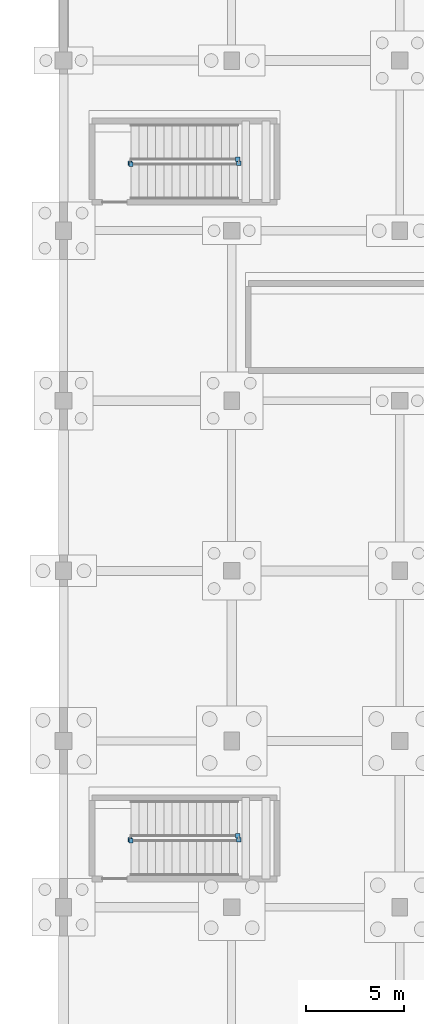
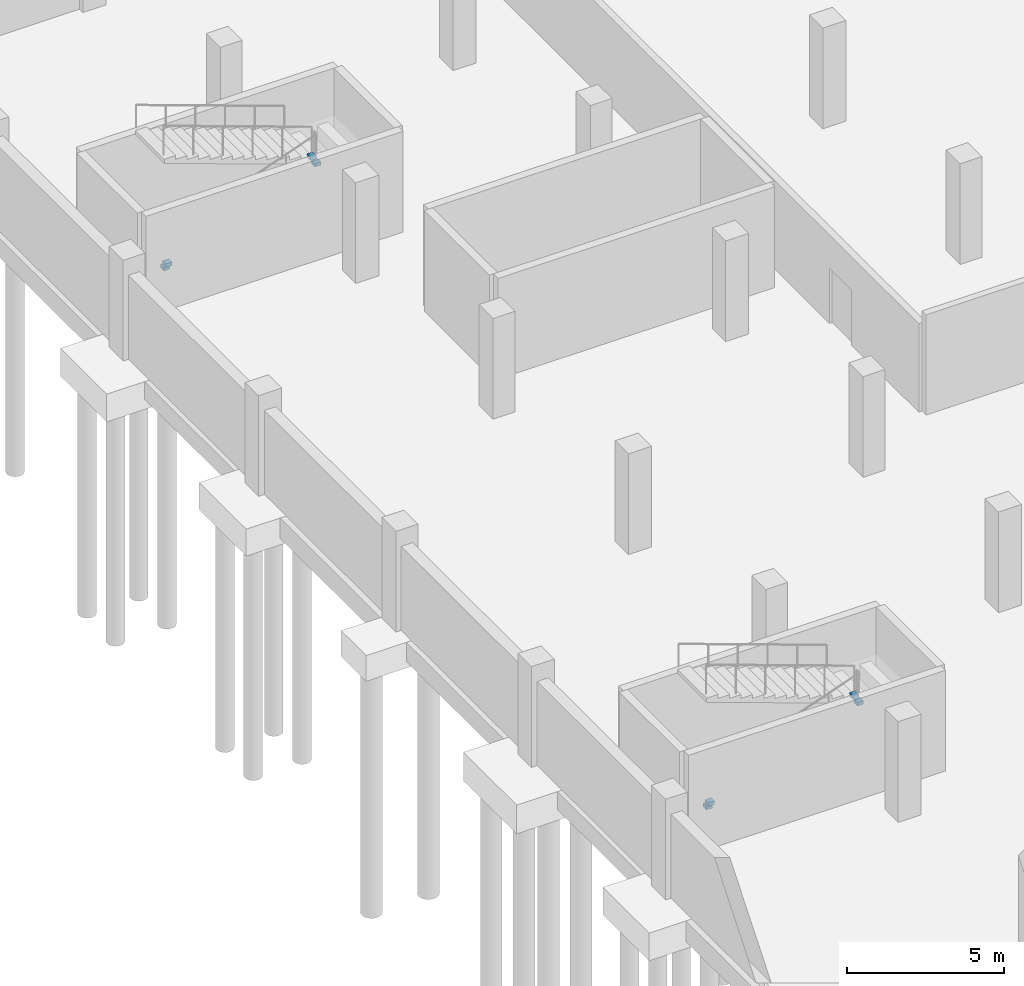
# One storey, part 22 of 28: 8 discrete accessories.
"""IFC4 building model written with IfcOpenShell, lengths in metres."""

from ifc_helpers import new_model, si_unit, direction, frame, origin, origin_2d, place, context, subcontext, project, spatial, rectangle, extrude, material, type_object, element, save


model = new_model("IFC4")

# Units and contexts
model_context = context("Model", 3, precision=1e-05, world=origin(), true_north=direction((0.0, 1.0)))
body_context = subcontext(model_context, "Body", "Model", "MODEL_VIEW")
ifc_project = project(units=[si_unit("LENGTHUNIT", "METRE"), si_unit("AREAUNIT", "SQUARE_METRE"), si_unit("VOLUMEUNIT", "CUBIC_METRE"), si_unit("PLANEANGLEUNIT", "RADIAN"), si_unit("MASSUNIT", "GRAM", prefix="KILO")], contexts=[model_context])

# Site, building, storey
site_placement = place(None, origin())
site = spatial("IfcSite", under=ifc_project, at=site_placement, CompositionType="ELEMENT")
building_placement = place(site_placement, origin())
building = spatial("IfcBuilding", under=site, at=building_placement, Name="Varnakota Cinema and Media Centre", CompositionType="ELEMENT")
storey_placement = place(building_placement, frame((0.0, 0.0, -4.199951171875)))
storey = spatial("IfcBuildingStorey", under=building, at=storey_placement, Name="B1", CompositionType="ELEMENT", Elevation=-4.199951171875)

# Discrete accessories
ifc_material = material(Name="Structural steel Grade 350 (E350)", Category="steel")
discrete_accessory_type = type_object("IfcDiscreteAccessoryType", Name="ACC-BRACKET-SG", PredefinedType="BRACKET", material=ifc_material)
for number, where, z_axis, x_axis, name in (
    (1, (3.449951171875, 64.39990234375, 0.06005859375), (0.0, 0.0, 1.0), (1.0, 0.0, 0.0), "B1 stair guard base bracket ST-B3-B1-G1"),
    (2, (8.9599609375, 64.449951171875, 2.009765625), (0.0, 0.0, 1.0), (1.0, 0.0, 0.0), "B1 stair guard base bracket ST-B3-B1-G2"),
    (3, (8.909912109375, 64.64990234375, 2.16015625), (0.0, 0.0, 1.0), (1.0, 0.0, 0.0), "B1 stair guard base bracket ST-B3-B1-G3"),
    (4, (3.39990234375, 64.449951171875, -0.08984375), (0.0, 0.0, 1.0), (1.0, 0.0, 0.0), "B1 stair guard base bracket ST-B3-B1-G4"),
    (5, (3.449951171875, 99.0, 0.06005859375), (0.0, 0.0, 1.0), (1.0, 0.0, 0.0), "B1 stair guard base bracket ST-B4-B1-G1"),
    (6, (8.9599609375, 99.050048828125, 2.009765625), (0.0, 0.0, 1.0), (1.0, 0.0, 0.0), "B1 stair guard base bracket ST-B4-B1-G2"),
    (7, (8.909912109375, 99.25, 2.16015625), (0.0, 0.0, 1.0), (1.0, 0.0, 0.0), "B1 stair guard base bracket ST-B4-B1-G3"),
    (8, (3.39990234375, 99.050048828125, -0.08984375), (0.0, 0.0, 1.0), (1.0, 0.0, 0.0), "B1 stair guard base bracket ST-B4-B1-G4"),
):
    element("IfcDiscreteAccessory", number, at=place(storey_placement, frame(where, z_axis=z_axis, x_axis=x_axis)), inside=storey, type_object=discrete_accessory_type, Name=name, PredefinedType="BRACKET", context=body_context, shape_type="SweptSolid", body=[
        extrude(rectangle(XDim=0.219970703125, YDim=0.219970703125, at=origin_2d()), origin(), (0.0, 0.0, 1.0), 0.139892578125),
    ])

save(model, "model.ifc")
